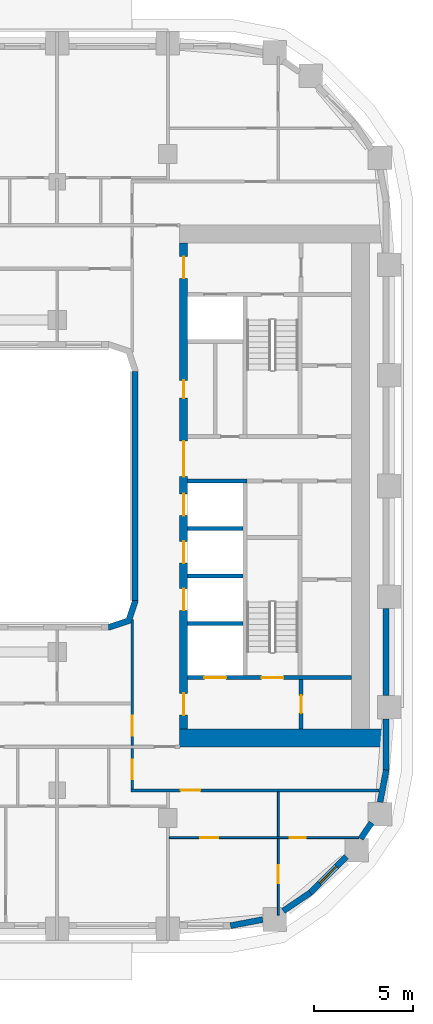
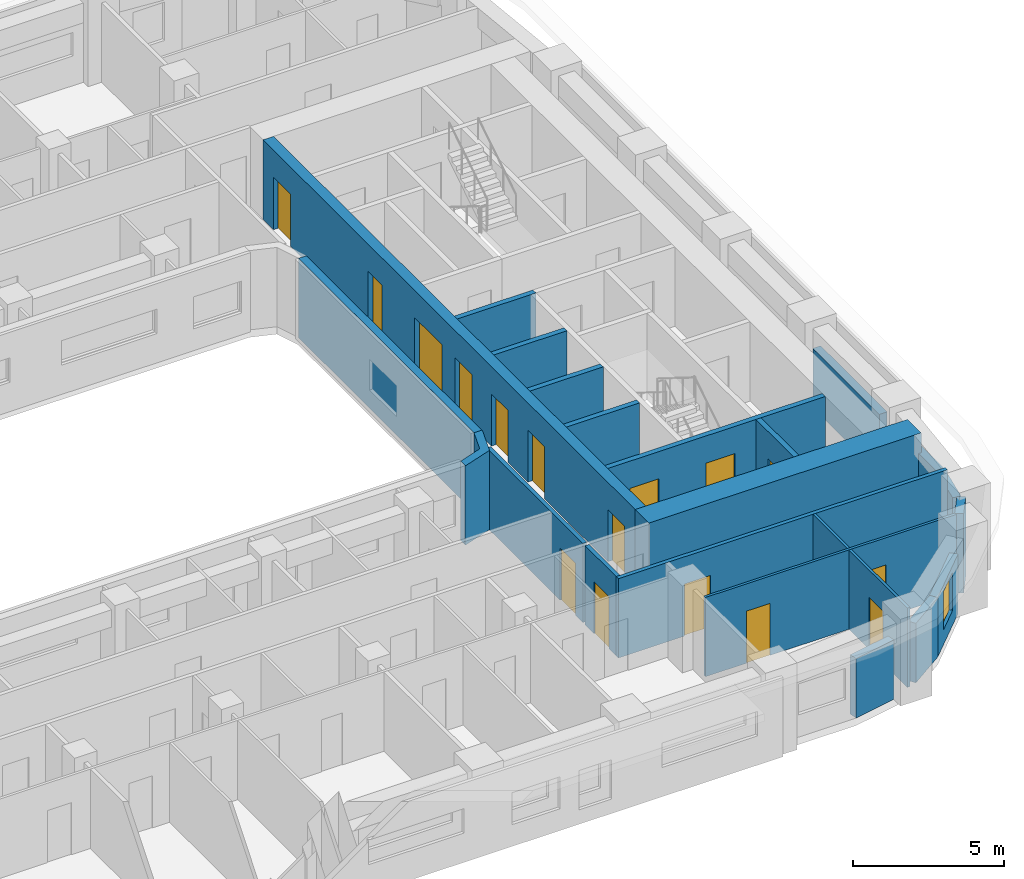
# One storey, part 7 of 23: 23 walls, 16 doors, 1 window, 17 openings.
"""IFC4 building model written with IfcOpenShell, lengths in metres."""

from ifc_helpers import new_model, si_unit, direction, frame, frame_2d, origin, place, context, subcontext, project, spatial, polyline, rectangle, outline, extrude, material, layer, layer_set, type_object, element, fill, save


model = new_model("IFC4")

# Units and contexts
model_context = context("Model", 3, precision=1e-05, world=origin(), true_north=direction((0.0, 1.0)))
body_context = subcontext(model_context, "Body", "Model", "MODEL_VIEW")
ifc_project = project(units=[si_unit("LENGTHUNIT", "METRE"), si_unit("AREAUNIT", "SQUARE_METRE"), si_unit("VOLUMEUNIT", "CUBIC_METRE"), si_unit("PLANEANGLEUNIT", "RADIAN"), si_unit("MASSUNIT", "GRAM", prefix="KILO")], contexts=[model_context])

# Site, building, storey
site_placement = place(None, origin())
site = spatial("IfcSite", under=ifc_project, at=site_placement, CompositionType="ELEMENT")
building_placement = place(site_placement, origin())
building = spatial("IfcBuilding", under=site, at=building_placement, Name="Kiln Ring Residences", CompositionType="ELEMENT")
storey_placement = place(building_placement, frame((0.0, 0.0, 118.300048828125)))
storey = spatial("IfcBuildingStorey", under=building, at=storey_placement, Name="L30", CompositionType="ELEMENT", Elevation=118.300048828125)

# Wall, opening, door
ifc_material_1 = material(Name="Gypsum board on steel studs", Category="steel")
ifc_layer_1 = layer(ifc_material_1, 0.199951171875)
ifc_layer_set_1 = layer_set([ifc_layer_1], Name="CORE-PARTITION-200")
wall_type_1 = type_object("IfcWallType", Name="CORE-PARTITION-200", PredefinedType="PARTITIONING", material=ifc_layer_set_1)
wall_1_placement = place(storey_placement, frame((23.550048828125, -12.300048828125, 0.0), z_axis=(0.0, 0.0, 1.0), x_axis=(0.0, 1.0, 0.0)))
wall_1 = element("IfcWall", 1, at=wall_1_placement, inside=storey, type_object=wall_type_1, Name="Core partition east L30 5", PredefinedType="PARTITIONING", context=body_context, shape_type="SweptSolid", body=[
    extrude(rectangle(XDim=2.5, YDim=0.199951171875, at=frame_2d((1.25, 0.0))), origin(), (0.0, 0.0, 1.0), 3.199951171875),
])
opening_1_placement = place(wall_1_placement, frame((0.800048828125, 0.0, 0.0)))
opening_1 = element("IfcOpeningElement", 2, at=opening_1_placement, cuts=wall_1, Name="Opening L30-CE11", PredefinedType="OPENING", context=body_context, shape_type="SweptSolid", body=[
    extrude(rectangle(XDim=0.89990234375, YDim=2.10009765625, at=frame_2d((0.449951171875, 1.050048828125))), frame((0.0, 0.10986328125, 0.0), z_axis=(0.0, -1.0, 0.0), x_axis=(1.0, 0.0, 0.0)), (0.0, 0.0, 1.0), 0.219970703125),
])
ifc_material_2 = material(Name="Steel door leaf", Category="steel")
door_type_1 = type_object("IfcDoorType", Name="CORE-DOOR-ROOM", OperationType="SINGLE_SWING_LEFT", PredefinedType="DOOR", material=ifc_material_2)
door_1_placement = place(opening_1_placement, origin())
door_1 = element("IfcDoor", 3, at=door_1_placement, inside=storey, type_object=door_type_1, Name="Store L30-CE11", OperationType="SINGLE_SWING_RIGHT", OverallHeight=2.10009765625, OverallWidth=0.89990234375, PredefinedType="DOOR", context=body_context, shape_type="SweptSolid", body=[
    extrude(rectangle(XDim=0.89990234375, YDim=2.10009765625, at=frame_2d((0.449951171875, 1.050048828125))), frame((0.0, 0.02490234375, 0.0), z_axis=(0.0, -1.0, 0.0), x_axis=(1.0, 0.0, 0.0)), (0.0, 0.0, 1.0), 0.050048828125),
])
fill(opening_1, door_1)

# Walls
ifc_material_3 = material(Name="Gypsum shaft wall system")
ifc_layer_2 = layer(ifc_material_3, 0.199951171875)
ifc_layer_set_2 = layer_set([ifc_layer_2], Name="CORE-SHAFT-WALL-200")
wall_type_2 = type_object("IfcWallType", Name="CORE-SHAFT-WALL-200", PredefinedType="PARTITIONING", material=ifc_layer_set_2)
for number, where, z_axis, x_axis, name in (
    (4, (17.800048828125, -6.949951171875, 0.0), (0.0, 0.0, 1.0), (1.0, 0.0, 0.0), "Core partition east L30 8"),
    (5, (17.800048828125, -4.550048828125, 0.0), (0.0, 0.0, 1.0), (1.0, 0.0, 0.0), "Core partition east L30 9"),
    (6, (17.800048828125, -2.14990234375, 0.0), (0.0, 0.0, 1.0), (1.0, 0.0, 0.0), "Core partition east L30 10"),
):
    element("IfcWall", number, at=place(storey_placement, frame(where, z_axis=z_axis, x_axis=x_axis)), inside=storey, type_object=wall_type_2, Name=name, PredefinedType="PARTITIONING", context=body_context, shape_type="SweptSolid", body=[
        extrude(rectangle(XDim=2.800048828125, YDim=0.199951171875, at=frame_2d((1.39990234375, 0.0))), origin(), (0.0, 0.0, 1.0), 3.199951171875),
    ])
wall_2_placement = place(storey_placement, frame((17.800048828125, 0.25, 0.0), z_axis=(0.0, 0.0, 1.0), x_axis=(1.0, 0.0, 0.0)))
element("IfcWall", 7, at=wall_2_placement, inside=storey, type_object=wall_type_2, Name="Core partition east L30 11", PredefinedType="PARTITIONING", context=body_context, shape_type="SweptSolid", body=[
    extrude(rectangle(XDim=3.0, YDim=0.199951171875, at=frame_2d((1.5, 0.0))), origin(), (0.0, 0.0, 1.0), 3.199951171875),
])

# Wall, openings, doors
ifc_material_4 = material(Name="Concrete C40/50", Category="concrete")
ifc_layer_3 = layer(ifc_material_4, 0.199951171875)
ifc_layer_set_3 = layer_set([ifc_layer_3], Name="CORE-WALL-RC200")
wall_type_3 = type_object("IfcWallType", Name="CORE-WALL-RC200", PredefinedType="SHEAR", material=ifc_layer_set_3)
wall_3_placement = place(storey_placement, frame((17.800048828125, -9.699951171875, 0.0), z_axis=(0.0, 0.0, 1.0), x_axis=(1.0, 0.0, 0.0)))
wall_3 = element("IfcWall", 8, at=wall_3_placement, inside=storey, type_object=wall_type_3, Name="Core wall east L30 8", PredefinedType="SHEAR", context=body_context, shape_type="SweptSolid", body=[
    extrude(rectangle(XDim=8.300048828125, YDim=0.199951171875, at=frame_2d((4.14990234375, 0.0))), origin(), (0.0, 0.0, 1.0), 3.199951171875),
])
opening_2_placement = place(wall_3_placement, frame((0.85009765625, 0.0, 0.0)))
opening_2 = element("IfcOpeningElement", 9, at=opening_2_placement, cuts=wall_3, Name="Opening L30-CE01", PredefinedType="OPENING", context=body_context, shape_type="SweptSolid", body=[
    extrude(rectangle(XDim=1.10009765625, YDim=2.10009765625, at=frame_2d((0.550048828125, 1.050048828125))), frame((0.0, 0.10986328125, 0.0), z_axis=(0.0, -1.0, 0.0), x_axis=(1.0, 0.0, 0.0)), (0.0, 0.0, 1.0), 0.219970703125),
])
opening_3_placement = place(wall_3_placement, frame((3.75, 0.0, 0.0)))
opening_3 = element("IfcOpeningElement", 10, at=opening_3_placement, cuts=wall_3, Name="Opening L30-CE13", PredefinedType="OPENING", context=body_context, shape_type="SweptSolid", body=[
    extrude(rectangle(XDim=1.10009765625, YDim=2.10009765625, at=frame_2d((0.550048828125, 1.050048828125))), frame((0.0, 0.10986328125, 0.0), z_axis=(0.0, -1.0, 0.0), x_axis=(1.0, 0.0, 0.0)), (0.0, 0.0, 1.0), 0.219970703125),
])
ifc_material_5 = material(Name="Steel door leaf", Category="steel")
door_type_2 = type_object("IfcDoorType", Name="CORE-DOOR-LD", OperationType="DOUBLE_DOOR_SLIDING", PredefinedType="DOOR", material=ifc_material_5)
door_2_placement = place(opening_2_placement, origin())
door_2 = element("IfcDoor", 11, at=door_2_placement, inside=storey, type_object=door_type_2, Name="LD E-SV L30-CE01", OperationType="DOUBLE_DOOR_SLIDING", OverallHeight=2.10009765625, OverallWidth=1.10009765625, PredefinedType="DOOR", context=body_context, shape_type="SweptSolid", body=[
    extrude(rectangle(XDim=1.10009765625, YDim=2.10009765625, at=frame_2d((0.550048828125, 1.050048828125))), frame((0.0, 0.02490234375, 0.0), z_axis=(0.0, -1.0, 0.0), x_axis=(1.0, 0.0, 0.0)), (0.0, 0.0, 1.0), 0.050048828125),
])
fill(opening_2, door_2)
ifc_material_6 = material(Name="Steel door leaf", Category="steel")
door_type_3 = type_object("IfcDoorType", Name="CORE-DOOR-STAIR", OperationType="SINGLE_SWING_LEFT", PredefinedType="DOOR", material=ifc_material_6)
door_3_placement = place(opening_3_placement, origin())
door_3 = element("IfcDoor", 12, at=door_3_placement, inside=storey, type_object=door_type_3, Name="Stair E-STS L30-CE13", OperationType="SINGLE_SWING_LEFT", OverallHeight=2.10009765625, OverallWidth=1.10009765625, PredefinedType="DOOR", context=body_context, shape_type="SweptSolid", body=[
    extrude(rectangle(XDim=1.10009765625, YDim=2.10009765625, at=frame_2d((0.550048828125, 1.050048828125))), frame((0.0, 0.02490234375, 0.0), z_axis=(0.0, -1.0, 0.0), x_axis=(1.0, 0.0, 0.0)), (0.0, 0.0, 1.0), 0.050048828125),
])
fill(opening_3, door_3)

ifc_material_7 = material(Name="Concrete C60/75", Category="concrete")
ifc_layer_4 = layer(ifc_material_7, 0.39990234375)
ifc_layer_set_4 = layer_set([ifc_layer_4], Name="CORE-WALL-RC400")
wall_type_4 = type_object("IfcWallType", Name="CORE-WALL-RC400", PredefinedType="SHEAR", material=ifc_layer_set_4)
wall_4_placement = place(storey_placement, frame((17.60009765625, -12.300048828125, 0.0), z_axis=(0.0, 0.0, 1.0), x_axis=(0.0, 1.0, 0.0)))
wall_4 = element("IfcWall", 13, at=wall_4_placement, inside=storey, type_object=wall_type_4, Name="Core wall east L30 6", PredefinedType="SHEAR", context=body_context, shape_type="SweptSolid", body=[
    extrude(rectangle(XDim=24.60009765625, YDim=0.39990234375, at=frame_2d((12.300048828125, 0.0))), origin(), (0.0, 0.0, 1.0), 3.199951171875),
])
opening_4_placement = place(wall_4_placement, frame((6.0, 0.0, 0.0)))
opening_4 = element("IfcOpeningElement", 14, at=opening_4_placement, cuts=wall_4, Name="Opening L30-CE02", PredefinedType="OPENING", context=body_context, shape_type="SweptSolid", body=[
    extrude(rectangle(XDim=1.10009765625, YDim=2.10009765625, at=frame_2d((0.550048828125, 1.050048828125))), frame((0.0, 0.2099609375, 0.0), z_axis=(0.0, -1.0, 0.0), x_axis=(1.0, 0.0, 0.0)), (0.0, 0.0, 1.0), 0.419921875),
])
opening_5_placement = place(wall_4_placement, frame((8.39990234375, 0.0, 0.0)))
opening_5 = element("IfcOpeningElement", 15, at=opening_5_placement, cuts=wall_4, Name="Opening L30-CE03", PredefinedType="OPENING", context=body_context, shape_type="SweptSolid", body=[
    extrude(rectangle(XDim=1.10009765625, YDim=2.10009765625, at=frame_2d((0.550048828125, 1.050048828125))), frame((0.0, 0.2099609375, 0.0), z_axis=(0.0, -1.0, 0.0), x_axis=(1.0, 0.0, 0.0)), (0.0, 0.0, 1.0), 0.419921875),
])
opening_6_placement = place(wall_4_placement, frame((10.800048828125, 0.0, 0.0)))
opening_6 = element("IfcOpeningElement", 16, at=opening_6_placement, cuts=wall_4, Name="Opening L30-CE04", PredefinedType="OPENING", context=body_context, shape_type="SweptSolid", body=[
    extrude(rectangle(XDim=1.10009765625, YDim=2.10009765625, at=frame_2d((0.550048828125, 1.050048828125))), frame((0.0, 0.2099609375, 0.0), z_axis=(0.0, -1.0, 0.0), x_axis=(1.0, 0.0, 0.0)), (0.0, 0.0, 1.0), 0.419921875),
])
opening_7_placement = place(wall_4_placement, frame((16.75, 0.0, 0.0)))
opening_7 = element("IfcOpeningElement", 17, at=opening_7_placement, cuts=wall_4, Name="Opening L30-CE05", PredefinedType="OPENING", context=body_context, shape_type="SweptSolid", body=[
    extrude(rectangle(XDim=0.89990234375, YDim=2.10009765625, at=frame_2d((0.449951171875, 1.050048828125))), frame((0.0, 0.2099609375, 0.0), z_axis=(0.0, -1.0, 0.0), x_axis=(1.0, 0.0, 0.0)), (0.0, 0.0, 1.0), 0.419921875),
])
opening_8_placement = place(wall_4_placement, frame((22.800048828125, 0.0, 0.0)))
opening_8 = element("IfcOpeningElement", 18, at=opening_8_placement, cuts=wall_4, Name="Opening L30-CE08", PredefinedType="OPENING", context=body_context, shape_type="SweptSolid", body=[
    extrude(rectangle(XDim=1.10009765625, YDim=2.10009765625, at=frame_2d((0.550048828125, 1.050048828125))), frame((0.0, 0.2099609375, 0.0), z_axis=(0.0, -1.0, 0.0), x_axis=(1.0, 0.0, 0.0)), (0.0, 0.0, 1.0), 0.419921875),
])
opening_9_placement = place(wall_4_placement, frame((0.699951171875, 0.0, 0.0)))
opening_9 = element("IfcOpeningElement", 19, at=opening_9_placement, cuts=wall_4, Name="Opening L30-CE09", PredefinedType="OPENING", context=body_context, shape_type="SweptSolid", body=[
    extrude(rectangle(XDim=1.10009765625, YDim=2.10009765625, at=frame_2d((0.550048828125, 1.050048828125))), frame((0.0, 0.2099609375, 0.0), z_axis=(0.0, -1.0, 0.0), x_axis=(1.0, 0.0, 0.0)), (0.0, 0.0, 1.0), 0.419921875),
])
opening_10_placement = place(wall_4_placement, frame((12.77490234375, 0.0, 0.0)))
opening_10 = element("IfcOpeningElement", 20, at=opening_10_placement, cuts=wall_4, Name="Opening L30-CE14", PredefinedType="OPENING", context=body_context, shape_type="SweptSolid", body=[
    extrude(rectangle(XDim=1.800048828125, YDim=2.10009765625, at=frame_2d((0.89990234375, 1.050048828125))), frame((0.0, 0.2099609375, 0.0), z_axis=(0.0, -1.0, 0.0), x_axis=(1.0, 0.0, 0.0)), (0.0, 0.0, 1.0), 0.419921875),
])
door_4_placement = place(opening_4_placement, origin())
door_4 = element("IfcDoor", 21, at=door_4_placement, inside=storey, type_object=door_type_2, Name="LD E-L1 L30-CE02", OperationType="DOUBLE_DOOR_SLIDING", OverallHeight=2.10009765625, OverallWidth=1.10009765625, PredefinedType="DOOR", context=body_context, shape_type="SweptSolid", body=[
    extrude(rectangle(XDim=1.10009765625, YDim=2.10009765625, at=frame_2d((0.550048828125, 1.050048828125))), frame((0.0, 0.02490234375, 0.0), z_axis=(0.0, -1.0, 0.0), x_axis=(1.0, 0.0, 0.0)), (0.0, 0.0, 1.0), 0.050048828125),
])
fill(opening_4, door_4)
door_5_placement = place(opening_5_placement, origin())
door_5 = element("IfcDoor", 22, at=door_5_placement, inside=storey, type_object=door_type_2, Name="LD E-L2 L30-CE03", OperationType="DOUBLE_DOOR_SLIDING", OverallHeight=2.10009765625, OverallWidth=1.10009765625, PredefinedType="DOOR", context=body_context, shape_type="SweptSolid", body=[
    extrude(rectangle(XDim=1.10009765625, YDim=2.10009765625, at=frame_2d((0.550048828125, 1.050048828125))), frame((0.0, 0.02490234375, 0.0), z_axis=(0.0, -1.0, 0.0), x_axis=(1.0, 0.0, 0.0)), (0.0, 0.0, 1.0), 0.050048828125),
])
fill(opening_5, door_5)
door_6_placement = place(opening_6_placement, origin())
door_6 = element("IfcDoor", 23, at=door_6_placement, inside=storey, type_object=door_type_2, Name="LD E-L3 L30-CE04", OperationType="DOUBLE_DOOR_SLIDING", OverallHeight=2.10009765625, OverallWidth=1.10009765625, PredefinedType="DOOR", context=body_context, shape_type="SweptSolid", body=[
    extrude(rectangle(XDim=1.10009765625, YDim=2.10009765625, at=frame_2d((0.550048828125, 1.050048828125))), frame((0.0, 0.02490234375, 0.0), z_axis=(0.0, -1.0, 0.0), x_axis=(1.0, 0.0, 0.0)), (0.0, 0.0, 1.0), 0.050048828125),
])
fill(opening_6, door_6)
ifc_material_8 = material(Name="Steel door leaf", Category="steel")
door_type_4 = type_object("IfcDoorType", Name="CORE-DOOR-LOBBY", OperationType="SINGLE_SWING_LEFT", PredefinedType="DOOR", material=ifc_material_8)
door_7_placement = place(opening_8_placement, origin())
door_7 = element("IfcDoor", 24, at=door_7_placement, inside=storey, type_object=door_type_4, Name="FFL L30-CE08", OperationType="SINGLE_SWING_RIGHT", OverallHeight=2.10009765625, OverallWidth=1.10009765625, PredefinedType="DOOR", context=body_context, shape_type="SweptSolid", body=[
    extrude(rectangle(XDim=1.10009765625, YDim=2.10009765625, at=frame_2d((0.550048828125, 1.050048828125))), frame((0.0, 0.02490234375, 0.0), z_axis=(0.0, -1.0, 0.0), x_axis=(1.0, 0.0, 0.0)), (0.0, 0.0, 1.0), 0.050048828125),
])
fill(opening_8, door_7)
door_8_placement = place(opening_9_placement, origin())
door_8 = element("IfcDoor", 25, at=door_8_placement, inside=storey, type_object=door_type_4, Name="SVL L30-CE09", OperationType="SINGLE_SWING_LEFT", OverallHeight=2.10009765625, OverallWidth=1.10009765625, PredefinedType="DOOR", context=body_context, shape_type="SweptSolid", body=[
    extrude(rectangle(XDim=1.10009765625, YDim=2.10009765625, at=frame_2d((0.550048828125, 1.050048828125))), frame((0.0, 0.02490234375, 0.0), z_axis=(0.0, -1.0, 0.0), x_axis=(1.0, 0.0, 0.0)), (0.0, 0.0, 1.0), 0.050048828125),
])
fill(opening_9, door_8)
ifc_material_9 = material(Name="Steel door leaf", Category="steel")
door_type_5 = type_object("IfcDoorType", Name="CORE-DOOR-PASS", OperationType="DOUBLE_DOOR_SINGLE_SWING", PredefinedType="DOOR", material=ifc_material_9)
door_9_placement = place(opening_10_placement, origin())
door_9 = element("IfcDoor", 26, at=door_9_placement, inside=storey, type_object=door_type_5, Name="Core passage L30-CE14", OperationType="DOUBLE_DOOR_SINGLE_SWING", OverallHeight=2.10009765625, OverallWidth=1.800048828125, PredefinedType="DOOR", context=body_context, shape_type="SweptSolid", body=[
    extrude(rectangle(XDim=1.800048828125, YDim=2.10009765625, at=frame_2d((0.89990234375, 1.050048828125))), frame((0.0, 0.02490234375, 0.0), z_axis=(0.0, -1.0, 0.0), x_axis=(1.0, 0.0, 0.0)), (0.0, 0.0, 1.0), 0.050048828125),
])
fill(opening_10, door_9)
door_10_placement = place(opening_7_placement, origin())
door_10 = element("IfcDoor", 27, at=door_10_placement, inside=storey, type_object=door_type_1, Name="Janitor's store L30-CE05", OperationType="SINGLE_SWING_RIGHT", OverallHeight=2.10009765625, OverallWidth=0.89990234375, PredefinedType="DOOR", context=body_context, shape_type="SweptSolid", body=[
    extrude(rectangle(XDim=0.89990234375, YDim=2.10009765625, at=frame_2d((0.449951171875, 1.050048828125))), frame((0.0, 0.02490234375, 0.0), z_axis=(0.0, -1.0, 0.0), x_axis=(1.0, 0.0, 0.0)), (0.0, 0.0, 1.0), 0.050048828125),
])
fill(opening_7, door_10)

# Walls
ifc_material_10 = material(Name="Concrete C60/75", Category="concrete")
ifc_layer_5 = layer(ifc_material_10, 0.89990234375)
ifc_layer_set_5 = layer_set([ifc_layer_5], Name="CORE-WALL-RC900")
wall_type_5 = type_object("IfcWallType", Name="CORE-WALL-RC900", PredefinedType="SHEAR", material=ifc_layer_set_5)
wall_5_placement = place(storey_placement, frame((17.39990234375, -12.75, 0.0), z_axis=(0.0, 0.0, 1.0), x_axis=(1.0, 0.0, 0.0)))
element("IfcWall", 28, at=wall_5_placement, inside=storey, type_object=wall_type_5, Name="Core wall east L30 5", PredefinedType="SHEAR", context=body_context, shape_type="SweptSolid", body=[
    extrude(rectangle(XDim=10.400146484375, YDim=0.89990234375, at=frame_2d((5.2001953125, 0.0))), origin(), (0.0, 0.0, 1.0), 3.199951171875),
])
ifc_material_11 = material(Name="Brick masonry, dark clay brick", Category="masonry")
ifc_layer_6 = layer(ifc_material_11, 0.300048828125)
ifc_layer_set_6 = layer_set([ifc_layer_6], Name="EW-300 BRICK WALL")
wall_type_6 = type_object("IfcWallType", Name="EW-300 BRICK WALL", PredefinedType="SOLIDWALL", material=ifc_layer_set_6)
for number, where, z_axis, x_axis, name in (
    (29, (19.971923828125, -22.252685546875, 0.0), (0.0, 0.0, 1.0), (0.98228820662, 0.187376303559, 0.0), "Facade wall L30 12"),
    (30, (22.64306640625, -21.509765625, 0.0), (0.0, 0.0, 1.0), (0.827049873329, 0.562128550268, 0.0), "Facade wall L30 13"),
):
    element("IfcWall", number, at=place(storey_placement, frame(where, z_axis=z_axis, x_axis=x_axis)), inside=storey, type_object=wall_type_6, Name=name, PredefinedType="SOLIDWALL", context=body_context, shape_type="SweptSolid", body=[
        extrude(rectangle(XDim=1.656005859375, YDim=0.300048828125, at=frame_2d((0.828125, 0.0))), origin(), (0.0, 0.0, 1.0), 2.39990234375),
    ])

# Wall, opening, window
wall_6_placement = place(storey_placement, frame((23.990966796875, -20.596923828125, 0.0), z_axis=(0.0, 0.0, 1.0), x_axis=(0.707106781187, 0.707106781187, 0.0)))
wall_6 = element("IfcWall", 31, at=wall_6_placement, inside=storey, type_object=wall_type_6, Name="Facade wall L30 14", PredefinedType="SOLIDWALL", context=body_context, shape_type="SweptSolid", body=[
    extrude(rectangle(XDim=2.60009765625, YDim=0.300048828125, at=frame_2d((1.300048828125, 0.0))), origin(), (0.0, 0.0, 1.0), 2.39990234375),
])
opening_11_placement = place(wall_6_placement, frame((0.699951171875, 0.0, 0.60009765625)))
opening_11 = element("IfcOpeningElement", 32, at=opening_11_placement, cuts=wall_6, Name="Opening W1", PredefinedType="OPENING", context=body_context, shape_type="SweptSolid", body=[
    extrude(rectangle(XDim=1.199951171875, YDim=1.550048828125, at=frame_2d((0.60009765625, 0.77490234375))), frame((0.0, 0.159912109375, 0.0), z_axis=(0.0, -1.0, 0.0), x_axis=(1.0, 0.0, 0.0)), (0.0, 0.0, 1.0), 0.320068359375),
])
ifc_material_12 = material(Name="Aluminium frame with double glazing", Category="aluminium")
window_type = type_object("IfcWindowType", Name="WINDOW 1200 x 1550", PartitioningType="SINGLE_PANEL", PredefinedType="WINDOW", material=ifc_material_12)
window_placement = place(opening_11_placement, origin())
window = element("IfcWindow", 33, at=window_placement, inside=storey, type_object=window_type, Name="Window L30 12", OverallHeight=1.550048828125, OverallWidth=1.199951171875, PartitioningType="SINGLE_PANEL", PredefinedType="WINDOW", context=body_context, shape_type="SweptSolid", body=[
    extrude(rectangle(XDim=1.199951171875, YDim=1.550048828125, at=frame_2d((0.60009765625, 0.77490234375))), frame((0.0, 0.030029296875, 0.0), z_axis=(0.0, -1.0, 0.0), x_axis=(1.0, 0.0, 0.0)), (0.0, 0.0, 1.0), 0.06005859375),
])
fill(opening_11, window)

# Walls
wall_7_placement = place(storey_placement, frame((26.560546875, -17.85107421875, 0.0), z_axis=(0.0, 0.0, 1.0), x_axis=(0.562173331661, 0.827019434577, 0.0)))
element("IfcWall", 34, at=wall_7_placement, inside=storey, type_object=wall_type_6, Name="Facade wall L30 15", PredefinedType="SOLIDWALL", context=body_context, shape_type="SweptSolid", body=[
    extrude(rectangle(XDim=0.97705078125, YDim=0.300048828125, at=frame_2d((0.488525390625, 0.0))), origin(), (0.0, 0.0, 1.0), 3.199951171875),
])
wall_8_placement = place(storey_placement, frame((27.542236328125, -15.998779296875, 0.0), z_axis=(0.0, 0.0, 1.0), x_axis=(0.187349172861, 0.982293381546, 0.0)))
element("IfcWall", 35, at=wall_8_placement, inside=storey, type_object=wall_type_6, Name="Facade wall L30 16", PredefinedType="SOLIDWALL", context=body_context, shape_type="SweptSolid", body=[
    extrude(rectangle(XDim=1.65625, YDim=0.300048828125, at=frame_2d((0.828125, 0.0))), origin(), (0.0, 0.0, 1.0), 2.39990234375),
])
wall_9_placement = place(storey_placement, frame((27.85009765625, -14.39990234375, 0.0), z_axis=(0.0, 0.0, 1.0), x_axis=(0.0, 1.0, 0.0)))
element("IfcWall", 36, at=wall_9_placement, inside=storey, type_object=wall_type_6, Name="Facade wall L30 17", PredefinedType="SOLIDWALL", context=body_context, shape_type="SweptSolid", body=[
    extrude(rectangle(XDim=2.599853515625, YDim=0.300048828125, at=frame_2d((1.2998046875, 0.0))), origin(), (0.0, 0.0, 1.0), 2.39990234375),
])
wall_10_placement = place(storey_placement, frame((27.85009765625, -10.60009765625, 0.0), z_axis=(0.0, 0.0, 1.0), x_axis=(0.0, 1.0, 0.0)))
element("IfcWall", 37, at=wall_10_placement, inside=storey, type_object=wall_type_6, Name="Facade wall L30 18", PredefinedType="SOLIDWALL", context=body_context, shape_type="SweptSolid", body=[
    extrude(rectangle(XDim=4.400146484375, YDim=0.300048828125, at=frame_2d((2.2001953125, 0.0))), origin(), (0.0, 0.0, 1.0), 2.39990234375),
])
wall_11_placement = place(storey_placement, frame((15.14990234375, 5.800048828125, 0.0), z_axis=(0.0, 0.0, 1.0), x_axis=(0.0, -1.0, 0.0)))
element("IfcWall", 38, at=wall_11_placement, inside=storey, type_object=wall_type_6, Name="Facade wall L30 51", PredefinedType="SOLIDWALL", context=body_context, shape_type="SweptSolid", body=[
    extrude(rectangle(XDim=11.60009765625, YDim=0.300048828125, at=frame_2d((5.800048828125, 0.0))), origin(), (0.0, 0.0, 1.0), 3.199951171875),
])
wall_12_placement = place(storey_placement, origin())
element("IfcWall", 39, at=wall_12_placement, inside=storey, type_object=wall_type_6, Name="Corner wall L30 3", PredefinedType="SOLIDWALL", context=body_context, shape_type="SweptSolid", body=[
    extrude(outline(polyline([(14.937255859375, -6.937255859375), (15.300048828125, -5.8486328125), (15.300048828125, -5.800048828125), (15.0, -5.800048828125), (14.699951171875, -6.699951171875), (13.800048828125, -7.0), (13.800048828125, -7.300048828125), (13.8486328125, -7.300048828125), (14.937255859375, -6.937255859375)])), origin(), (0.0, 0.0, 1.0), 3.199951171875),
])

# Wall, openings, doors
ifc_material_13 = material(Name="Gypsum board on steel studs", Category="steel")
ifc_layer_7 = layer(ifc_material_13, 0.10009765625)
ifc_layer_set_7 = layer_set([ifc_layer_7], Name="PARTITION-100")
wall_type_7 = type_object("IfcWallType", Name="PARTITION-100", PredefinedType="PARTITIONING", material=ifc_layer_set_7)
wall_13_placement = place(storey_placement, frame((16.875, -17.800048828125, 0.0), z_axis=(0.0, 0.0, 1.0), x_axis=(1.0, 0.0, 0.0)))
wall_13 = element("IfcWall", 40, at=wall_13_placement, inside=storey, type_object=wall_type_7, Name="Partition 001", PredefinedType="PARTITIONING", context=body_context, shape_type="SweptSolid", body=[
    extrude(rectangle(XDim=9.590087890625, YDim=0.10009765625, at=frame_2d((4.794921875, 0.0))), origin(), (0.0, 0.0, 1.0), 3.199951171875),
])
opening_12_placement = place(wall_13_placement, frame((6.093017578125, 0.0, 0.0)))
opening_12 = element("IfcOpeningElement", 41, at=opening_12_placement, cuts=wall_13, Name="Opening L30-D070", PredefinedType="OPENING", context=body_context, shape_type="SweptSolid", body=[
    extrude(rectangle(XDim=0.800048828125, YDim=2.10009765625, at=frame_2d((0.39990234375, 1.050048828125))), frame((0.0, 0.06005859375, 0.0), z_axis=(0.0, -1.0, 0.0), x_axis=(1.0, 0.0, 0.0)), (0.0, 0.0, 1.0), 0.1201171875),
])
opening_13_placement = place(wall_13_placement, frame((1.574951171875, 0.0, 0.0)))
opening_13 = element("IfcOpeningElement", 42, at=opening_13_placement, cuts=wall_13, Name="Opening L30-D071", PredefinedType="OPENING", context=body_context, shape_type="SweptSolid", body=[
    extrude(rectangle(XDim=0.89990234375, YDim=2.10009765625, at=frame_2d((0.449951171875, 1.050048828125))), frame((0.0, 0.06005859375, 0.0), z_axis=(0.0, -1.0, 0.0), x_axis=(1.0, 0.0, 0.0)), (0.0, 0.0, 1.0), 0.1201171875),
])
ifc_material_14 = material(Name="Timber door leaf", Category="wood")
door_type_6 = type_object("IfcDoorType", Name="FLAT-DOOR-800-PL", OperationType="SINGLE_SWING_LEFT", PredefinedType="DOOR", material=ifc_material_14)
door_11_placement = place(opening_12_placement, origin())
door_11 = element("IfcDoor", 43, at=door_11_placement, inside=storey, type_object=door_type_6, Name="Door L30-D070", OperationType="SINGLE_SWING_RIGHT", OverallHeight=2.10009765625, OverallWidth=0.800048828125, PredefinedType="DOOR", context=body_context, shape_type="SweptSolid", body=[
    extrude(rectangle(XDim=0.800048828125, YDim=2.10009765625, at=frame_2d((0.39990234375, 1.050048828125))), frame((0.0, 0.02490234375, 0.0), z_axis=(0.0, -1.0, 0.0), x_axis=(1.0, 0.0, 0.0)), (0.0, 0.0, 1.0), 0.050048828125),
])
fill(opening_12, door_11)
ifc_material_15 = material(Name="Timber door leaf", Category="wood")
door_type_7 = type_object("IfcDoorType", Name="FLAT-DOOR-900-PL", OperationType="SINGLE_SWING_LEFT", PredefinedType="DOOR", material=ifc_material_15)
door_12_placement = place(opening_13_placement, origin())
door_12 = element("IfcDoor", 44, at=door_12_placement, inside=storey, type_object=door_type_7, Name="Door L30-D071", OperationType="SINGLE_SWING_LEFT", OverallHeight=2.10009765625, OverallWidth=0.89990234375, PredefinedType="DOOR", context=body_context, shape_type="SweptSolid", body=[
    extrude(rectangle(XDim=0.89990234375, YDim=2.10009765625, at=frame_2d((0.449951171875, 1.050048828125))), frame((0.0, 0.02490234375, 0.0), z_axis=(0.0, -1.0, 0.0), x_axis=(1.0, 0.0, 0.0)), (0.0, 0.0, 1.0), 0.050048828125),
])
fill(opening_13, door_12)

# Wall, opening, door
wall_14_placement = place(storey_placement, frame((22.39990234375, -21.719970703125, 0.0), z_axis=(0.0, 0.0, 1.0), x_axis=(0.0, 1.0, 0.0)))
wall_14 = element("IfcWall", 45, at=wall_14_placement, inside=storey, type_object=wall_type_7, Name="Partition 076", PredefinedType="PARTITIONING", context=body_context, shape_type="SweptSolid", body=[
    extrude(rectangle(XDim=3.869873046875, YDim=0.10009765625, at=frame_2d((1.93505859375, 0.0))), origin(), (0.0, 0.0, 1.0), 3.199951171875),
])
opening_14_placement = place(wall_14_placement, frame((1.6220703125, 0.0, 0.0)))
opening_14 = element("IfcOpeningElement", 46, at=opening_14_placement, cuts=wall_14, Name="Opening L30-D072", PredefinedType="OPENING", context=body_context, shape_type="SweptSolid", body=[
    extrude(rectangle(XDim=0.89990234375, YDim=2.10009765625, at=frame_2d((0.449951171875, 1.050048828125))), frame((0.0, 0.06005859375, 0.0), z_axis=(0.0, -1.0, 0.0), x_axis=(1.0, 0.0, 0.0)), (0.0, 0.0, 1.0), 0.1201171875),
])
door_13_placement = place(opening_14_placement, origin())
door_13 = element("IfcDoor", 47, at=door_13_placement, inside=storey, type_object=door_type_7, Name="Door L30-D072", OperationType="SINGLE_SWING_RIGHT", OverallHeight=2.10009765625, OverallWidth=0.89990234375, PredefinedType="DOOR", context=body_context, shape_type="SweptSolid", body=[
    extrude(rectangle(XDim=0.89990234375, YDim=2.10009765625, at=frame_2d((0.449951171875, 1.050048828125))), frame((0.0, 0.02490234375, 0.0), z_axis=(0.0, -1.0, 0.0), x_axis=(1.0, 0.0, 0.0)), (0.0, 0.0, 1.0), 0.050048828125),
])
fill(opening_14, door_13)

# Wall
wall_15_placement = place(storey_placement, frame((22.39990234375, -17.75, 0.0), z_axis=(0.0, 0.0, 1.0), x_axis=(0.0, 1.0, 0.0)))
element("IfcWall", 48, at=wall_15_placement, inside=storey, type_object=wall_type_7, Name="Partition 077", PredefinedType="PARTITIONING", context=body_context, shape_type="SweptSolid", body=[
    extrude(rectangle(XDim=2.27490234375, YDim=0.10009765625, at=frame_2d((1.137451171875, 0.0))), origin(), (0.0, 0.0, 1.0), 3.199951171875),
])

# Wall, opening, door
ifc_material_16 = material(Name="Brick masonry partition", Category="masonry")
ifc_layer_8 = layer(ifc_material_16, 0.14990234375)
ifc_layer_set_8 = layer_set([ifc_layer_8], Name="PARTITION-150-ei60")
wall_type_8 = type_object("IfcWallType", Name="PARTITION-150-ei60", PredefinedType="PARTITIONING", material=ifc_layer_set_8)
wall_16_placement = place(storey_placement, frame((14.925048828125, -15.39990234375, 0.0), z_axis=(0.0, 0.0, 1.0), x_axis=(1.0, 0.0, 0.0)))
wall_16 = element("IfcWall", 49, at=wall_16_placement, inside=storey, type_object=wall_type_8, Name="Partition 004", PredefinedType="PARTITIONING", context=body_context, shape_type="SweptSolid", body=[
    extrude(rectangle(XDim=12.558837890625, YDim=0.14990234375, at=frame_2d((6.279296875, 0.0))), origin(), (0.0, 0.0, 1.0), 3.199951171875),
])
opening_15_placement = place(wall_16_placement, frame((2.52490234375, 0.0, 0.0)))
opening_15 = element("IfcOpeningElement", 50, at=opening_15_placement, cuts=wall_16, Name="Opening L30-D069", PredefinedType="OPENING", context=body_context, shape_type="SweptSolid", body=[
    extrude(rectangle(XDim=1.0, YDim=2.10009765625, at=frame_2d((0.5, 1.050048828125))), frame((0.0, 0.0849609375, 0.0), z_axis=(0.0, -1.0, 0.0), x_axis=(1.0, 0.0, 0.0)), (0.0, 0.0, 1.0), 0.169921875),
])
ifc_material_17 = material(Name="Steel faced fire door leaf", Category="steel")
door_type_8 = type_object("IfcDoorType", Name="FLAT-DOOR-1000-FR", OperationType="SINGLE_SWING_LEFT", PredefinedType="DOOR", material=ifc_material_17)
door_14_placement = place(opening_15_placement, origin())
door_14 = element("IfcDoor", 51, at=door_14_placement, inside=storey, type_object=door_type_8, Name="Door L30-D069", OperationType="SINGLE_SWING_LEFT", OverallHeight=2.10009765625, OverallWidth=1.0, PredefinedType="DOOR", context=body_context, shape_type="SweptSolid", body=[
    extrude(rectangle(XDim=1.0, YDim=2.10009765625, at=frame_2d((0.5, 1.050048828125))), frame((0.0, 0.02490234375, 0.0), z_axis=(0.0, -1.0, 0.0), x_axis=(1.0, 0.0, 0.0)), (0.0, 0.0, 1.0), 0.050048828125),
])
fill(opening_15, door_14)

wall_17_placement = place(storey_placement, frame((15.0, -15.324951171875, 0.0), z_axis=(0.0, 0.0, 1.0), x_axis=(0.0, 1.0, 0.0)))
wall_17 = element("IfcWall", 52, at=wall_17_placement, inside=storey, type_object=wall_type_8, Name="Partition 070", PredefinedType="PARTITIONING", context=body_context, shape_type="SweptSolid", body=[
    extrude(rectangle(XDim=2.050048828125, YDim=0.14990234375, at=frame_2d((1.02490234375, 0.0))), origin(), (0.0, 0.0, 1.0), 3.199951171875),
])
opening_16_placement = place(wall_17_placement, frame((0.47412109375, 0.0, 0.0)))
opening_16 = element("IfcOpeningElement", 53, at=opening_16_placement, cuts=wall_17, Name="Opening L30-D066", PredefinedType="OPENING", context=body_context, shape_type="SweptSolid", body=[
    extrude(rectangle(XDim=1.0, YDim=2.10009765625, at=frame_2d((0.5, 1.050048828125))), frame((0.0, 0.0849609375, 0.0), z_axis=(0.0, -1.0, 0.0), x_axis=(1.0, 0.0, 0.0)), (0.0, 0.0, 1.0), 0.169921875),
])
door_15_placement = place(opening_16_placement, origin())
door_15 = element("IfcDoor", 54, at=door_15_placement, inside=storey, type_object=door_type_8, Name="Door L30-D066", OperationType="SINGLE_SWING_RIGHT", OverallHeight=2.10009765625, OverallWidth=1.0, PredefinedType="DOOR", context=body_context, shape_type="SweptSolid", body=[
    extrude(rectangle(XDim=1.0, YDim=2.10009765625, at=frame_2d((0.5, 1.050048828125))), frame((0.0, 0.02490234375, 0.0), z_axis=(0.0, -1.0, 0.0), x_axis=(1.0, 0.0, 0.0)), (0.0, 0.0, 1.0), 0.050048828125),
])
fill(opening_16, door_15)

wall_18_placement = place(storey_placement, frame((15.0, -13.125, 0.0), z_axis=(0.0, 0.0, 1.0), x_axis=(0.0, 1.0, 0.0)))
wall_18 = element("IfcWall", 55, at=wall_18_placement, inside=storey, type_object=wall_type_8, Name="Partition 071", PredefinedType="PARTITIONING", context=body_context, shape_type="SweptSolid", body=[
    extrude(rectangle(XDim=6.356201171875, YDim=0.14990234375, at=frame_2d((3.17822265625, 0.0))), origin(), (0.0, 0.0, 1.0), 3.199951171875),
])
opening_17_placement = place(wall_18_placement, frame((0.49609375, 0.0, 0.0)))
opening_17 = element("IfcOpeningElement", 56, at=opening_17_placement, cuts=wall_18, Name="Opening L30-D006", PredefinedType="OPENING", context=body_context, shape_type="SweptSolid", body=[
    extrude(rectangle(XDim=1.0, YDim=2.10009765625, at=frame_2d((0.5, 1.050048828125))), frame((0.0, 0.0849609375, 0.0), z_axis=(0.0, -1.0, 0.0), x_axis=(1.0, 0.0, 0.0)), (0.0, 0.0, 1.0), 0.169921875),
])
door_16_placement = place(opening_17_placement, origin())
door_16 = element("IfcDoor", 57, at=door_16_placement, inside=storey, type_object=door_type_8, Name="Door L30-D006", OperationType="SINGLE_SWING_LEFT", OverallHeight=2.10009765625, OverallWidth=1.0, PredefinedType="DOOR", context=body_context, shape_type="SweptSolid", body=[
    extrude(rectangle(XDim=1.0, YDim=2.10009765625, at=frame_2d((0.5, 1.050048828125))), frame((0.0, 0.02490234375, 0.0), z_axis=(0.0, -1.0, 0.0), x_axis=(1.0, 0.0, 0.0)), (0.0, 0.0, 1.0), 0.050048828125),
])
fill(opening_17, door_16)

save(model, "model.ifc")
